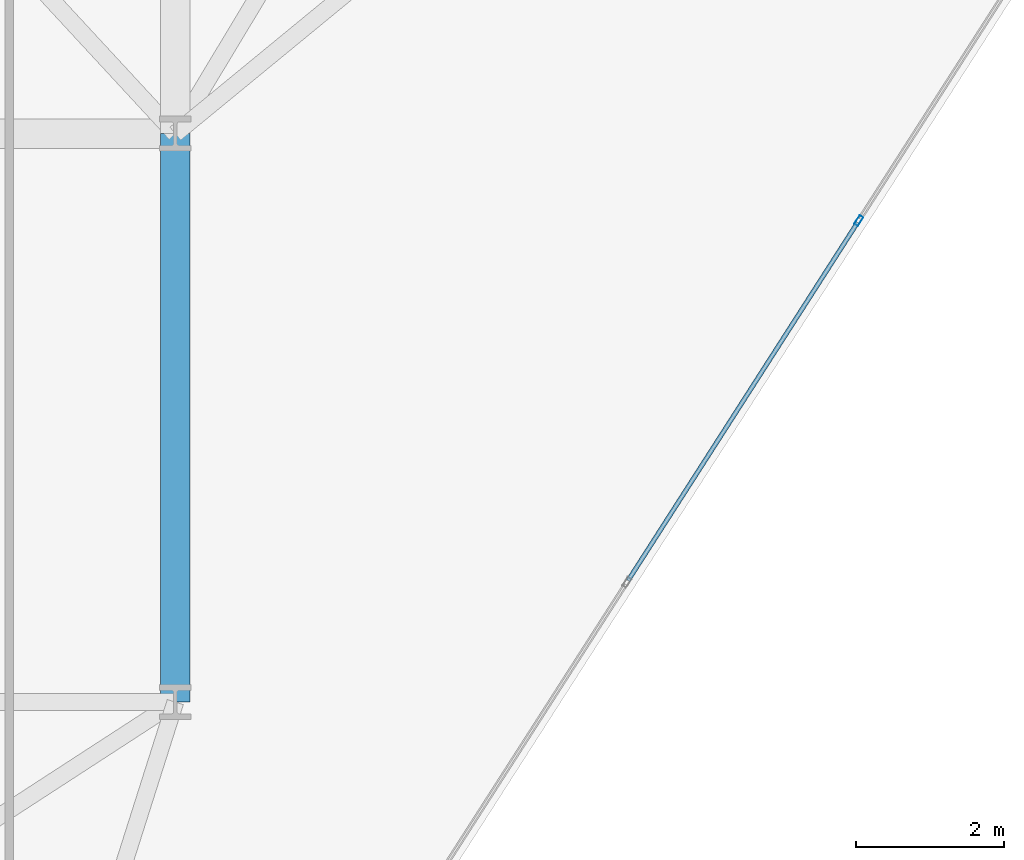
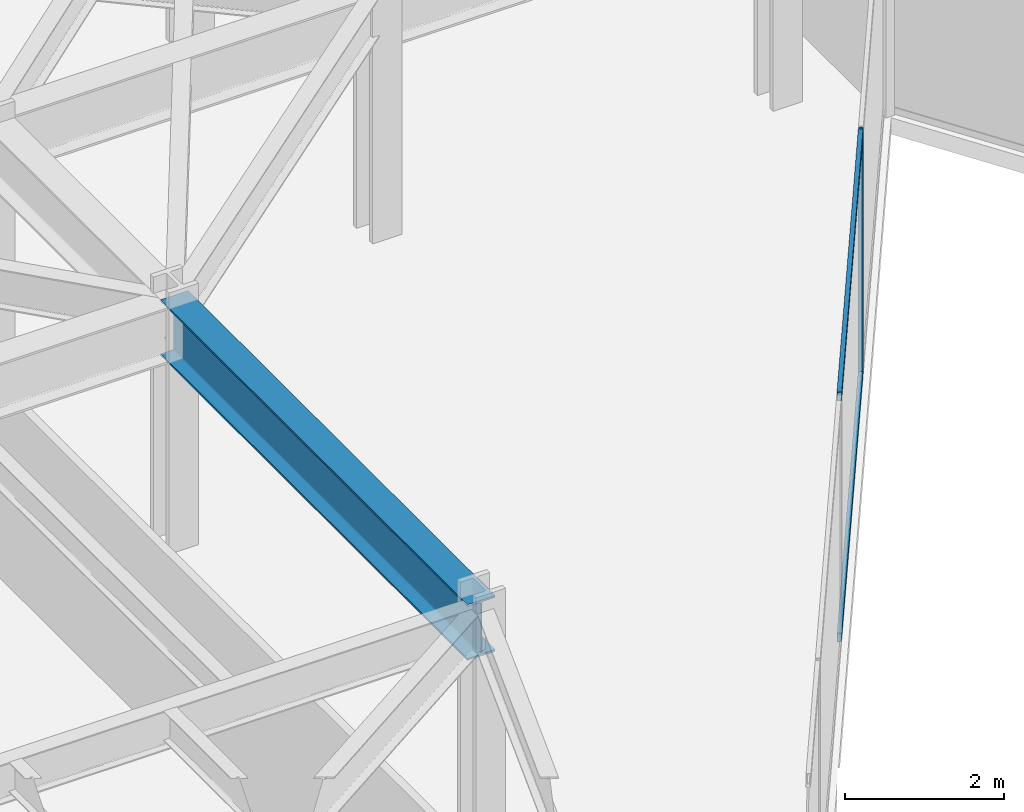
# One storey, part 5 of 20: 3 members, 1 beam, 1 element without a shape of its own.
"""IFC4 building model written with IfcOpenShell, lengths in metres."""

from ifc_helpers import new_model, si_unit, direction, frame, origin, origin_2d, place, context, subcontext, project, spatial, hollow_rectangle, i_section, extrude, material, layer, layer_set, material_profile, profile_set, type_object, element, aggregate, save


model = new_model("IFC4")

# Units and contexts
model_context = context("Model", 3, precision=1e-05, world=origin(), true_north=direction((0.0, 1.0)))
body_context = subcontext(model_context, "Body", "Model", "MODEL_VIEW")
ifc_project = project(units=[si_unit("LENGTHUNIT", "METRE"), si_unit("AREAUNIT", "SQUARE_METRE"), si_unit("VOLUMEUNIT", "CUBIC_METRE"), si_unit("PLANEANGLEUNIT", "RADIAN"), si_unit("MASSUNIT", "GRAM", prefix="KILO")], contexts=[model_context])

# Site, building, storey
site_placement = place(None, origin())
site = spatial("IfcSite", under=ifc_project, at=site_placement, CompositionType="ELEMENT")
building_placement = place(site_placement, origin())
building = spatial("IfcBuilding", under=site, at=building_placement, Name="Kravanh Interchange Tower", CompositionType="ELEMENT")
storey_placement = place(building_placement, frame((0.0, 0.0, 104.0)))
storey = spatial("IfcBuildingStorey", under=building, at=storey_placement, Name="L24", CompositionType="ELEMENT", Elevation=104.0)

# Curtain wall, members
ifc_material_1 = material(Name="Anodised Bronze Aluminium", Category="aluminium")
ifc_layer = layer(ifc_material_1, 0.179931640625)
ifc_layer_set = layer_set([ifc_layer], Name="Unitised Curtain Wall System CW-Z2 Mid Office")
curtain_wall_type = type_object("IfcCurtainWallType", Name="Unitised Curtain Wall System CW-Z2 Mid Office", PredefinedType="NOTDEFINED", material=ifc_layer_set)
curtain_wall_placement = place(storey_placement, origin())
curtain_wall = element("IfcCurtainWall", 1, at=curtain_wall_placement, inside=storey, type_object=curtain_wall_type, Name="L24 Unitised Curtain Wall CW-L24-04", PredefinedType="NOTDEFINED")
ifc_material_2 = material(Name="Anodised Bronze Aluminium", Category="aluminium")
ifc_material_profile_1 = material_profile(ifc_material_2, hollow_rectangle(XDim=0.06005859375, YDim=0.139892578125, WallThickness=0.00390625, at=origin_2d()), Name="ALU60X140X4")
ifc_profile_set_1 = profile_set([ifc_material_profile_1], Name="Anodised Bronze Aluminium")
member_type_1 = type_object("IfcMemberType", Name="Curtain Wall Mullion ALU60X140X4 Bronze", PredefinedType="MULLION", material=ifc_profile_set_1)
member_1_placement = place(storey_placement, frame((36.45849609375, 21.021728515625, 0.0), z_axis=(0.0, 0.0, 1.0), x_axis=(0.841879939476, -0.539664865919, 0.0)))
member_1 = element("IfcMember", 2, at=member_1_placement, type_object=member_type_1, Name="CW-Z2 mullion 2", PredefinedType="MULLION", context=body_context, shape_type="SweptSolid", body=[
    extrude(hollow_rectangle(XDim=0.06005859375, YDim=0.139892578125, WallThickness=0.00390625, at=origin_2d()), origin(), (0.0, 0.0, 1.0), 3.75),
])
ifc_material_3 = material(Name="Anodised Bronze Aluminium", Category="aluminium")
ifc_material_profile_2 = material_profile(ifc_material_3, hollow_rectangle(XDim=0.06005859375, YDim=0.139892578125, WallThickness=0.00390625, at=origin_2d()), Name="ALU60X140X4")
ifc_profile_set_2 = profile_set([ifc_material_profile_2], Name="Anodised Bronze Aluminium")
member_type_2 = type_object("IfcMemberType", Name="Curtain Wall Transom ALU60X140X4 Bronze", PredefinedType="USERDEFINED", material=ifc_profile_set_2)
member_2_placement = place(storey_placement, frame((36.4423828125, 20.99658203125, 0.030029296875), z_axis=(-0.539647630778, -0.841890987359, 0.0), x_axis=(0.841890987359, -0.539647630778, 0.0)))
member_2 = element("IfcMember", 3, at=member_2_placement, type_object=member_type_2, Name="CW-Z2 transom 2.1", ObjectType="TRANSOM", PredefinedType="USERDEFINED", context=body_context, shape_type="SweptSolid", body=[
    extrude(hollow_rectangle(XDim=0.06005859375, YDim=0.139892578125, WallThickness=0.00390625, at=origin_2d()), origin(), (0.0, 0.0, 1.0), 5.760986328125),
])
member_3_placement = place(storey_placement, frame((36.4423828125, 20.99658203125, 3.719970703125), z_axis=(-0.539647630778, -0.841890987359, 0.0), x_axis=(0.841890987359, -0.539647630778, 0.0)))
member_3 = element("IfcMember", 4, at=member_3_placement, type_object=member_type_2, Name="CW-Z2 transom 2.2", ObjectType="TRANSOM", PredefinedType="USERDEFINED", context=body_context, shape_type="SweptSolid", body=[
    extrude(hollow_rectangle(XDim=0.06005859375, YDim=0.139892578125, WallThickness=0.00390625, at=origin_2d()), origin(), (0.0, 0.0, 1.0), 5.760986328125),
])
aggregate(curtain_wall, [member_1, member_2, member_3])

# Beam
ifc_material_4 = material(Name="Structural Steel S355", Category="steel")
ifc_material_profile_3 = material_profile(ifc_material_4, i_section(OverallWidth=0.39990234375, OverallDepth=0.85595703125, WebThickness=0.018310546875, FlangeThickness=0.029296875, FilletRadius=0.02490234375, at=origin_2d()), Name="W33X201")
ifc_profile_set_3 = profile_set([ifc_material_profile_3], Name="Structural Steel S355")
beam_type = type_object("IfcBeamType", Name="Floor Beam W33X201 Structural Steel S355", PredefinedType="BEAM", material=ifc_profile_set_3)
beam_placement = place(storey_placement, frame((27.199951171875, 14.5, 3.322021484375), z_axis=(0.0, 1.0, 0.0), x_axis=(-1.0, 0.0, 0.0)))
element("IfcBeam", 5, at=beam_placement, inside=storey, type_object=beam_type, Name="L24 Primary Floor Girder 102", PredefinedType="BEAM", context=body_context, shape_type="SweptSolid", body=[
    extrude(i_section(OverallWidth=0.39990234375, OverallDepth=0.85595703125, WebThickness=0.018310546875, FlangeThickness=0.029296875, FilletRadius=0.02490234375, at=origin_2d()), origin(), (0.0, 0.0, 1.0), 7.699951171875),
])

save(model, "model.ifc")
